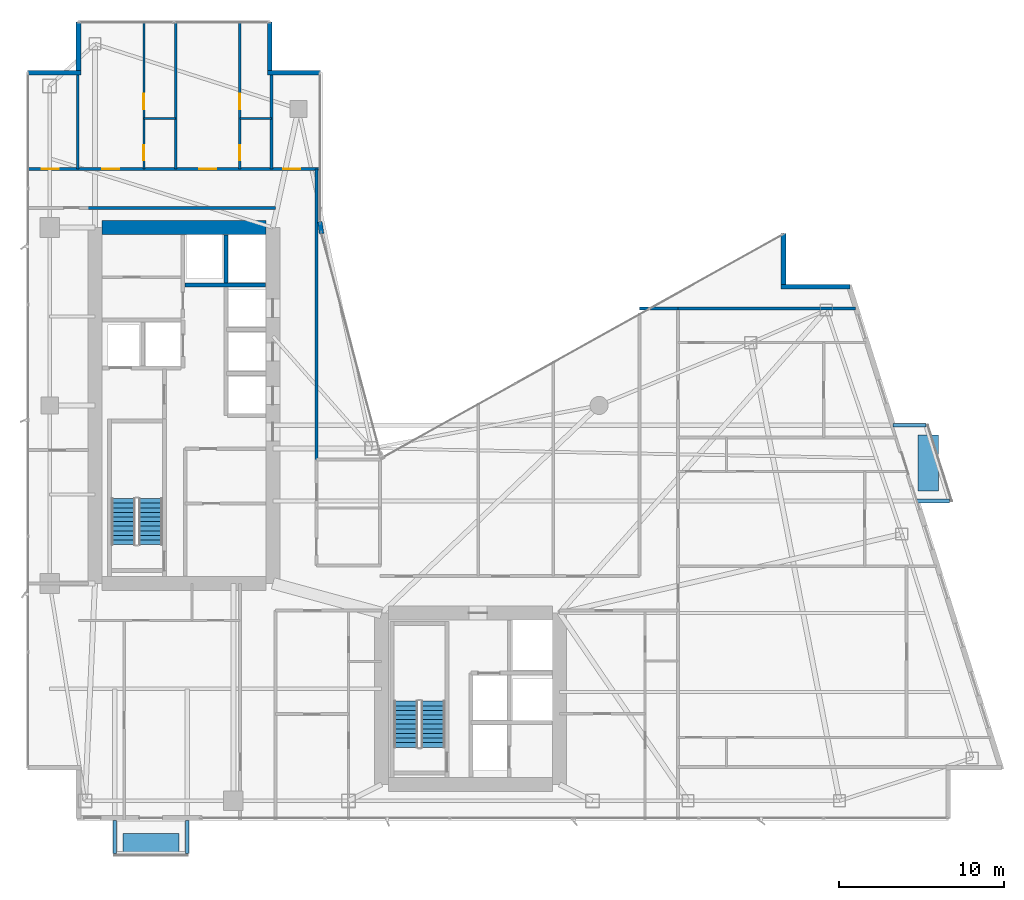
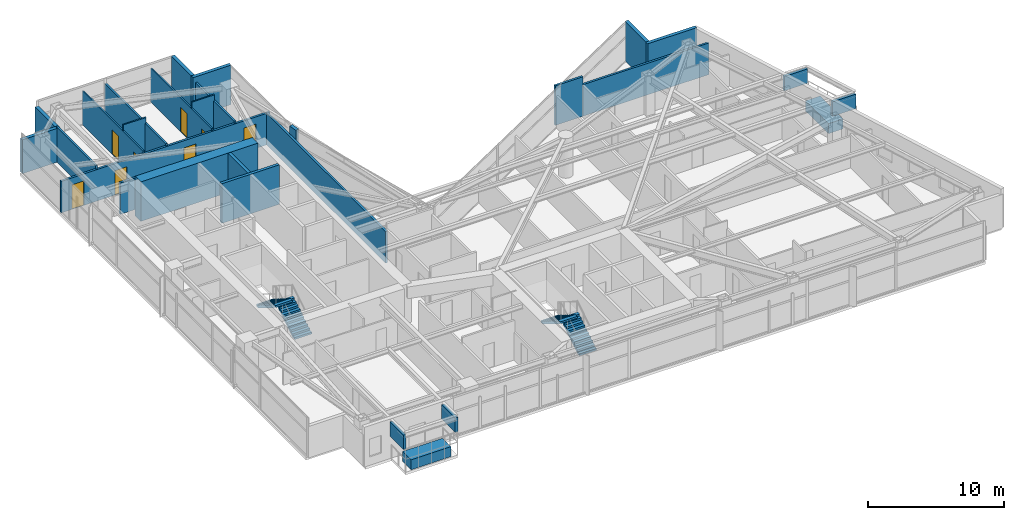
# One storey, part 25 of 28: 22 walls, 8 doors, 6 discrete accessories, 4 stair flights, 8 openings, 2 elements without a shape of their own.
"""IFC4 building model written with IfcOpenShell, lengths in metres."""

from ifc_helpers import new_model, si_unit, direction, frame, frame_2d, origin, origin_2d, place, context, subcontext, project, spatial, polyline, rectangle, outline, extrude, material, layer, layer_set, type_object, element, fill, aggregate, save


model = new_model("IFC4")

# Units and contexts
model_context = context("Model", 3, precision=1e-05, world=origin(), true_north=direction((0.0, 1.0)))
body_context = subcontext(model_context, "Body", "Model", "MODEL_VIEW")
ifc_project = project(units=[si_unit("LENGTHUNIT", "METRE"), si_unit("AREAUNIT", "SQUARE_METRE"), si_unit("VOLUMEUNIT", "CUBIC_METRE"), si_unit("PLANEANGLEUNIT", "RADIAN"), si_unit("MASSUNIT", "GRAM", prefix="KILO")], contexts=[model_context])

# Site, building, storey
site_placement = place(None, origin())
site = spatial("IfcSite", under=ifc_project, at=site_placement, CompositionType="ELEMENT")
building_placement = place(site_placement, origin())
building = spatial("IfcBuilding", under=site, at=building_placement, Name="Calvorn Quay Hotel", CompositionType="ELEMENT")
storey_placement = place(building_placement, frame((0.0, 0.0, 112.60009765625)))
storey = spatial("IfcBuildingStorey", under=building, at=storey_placement, Name="L27", CompositionType="ELEMENT", Elevation=112.60009765625)

# Wall
ifc_material_1 = material(Name="Concrete C50", Category="concrete")
ifc_layer_1 = layer(ifc_material_1, 0.85009765625)
ifc_layer_set_1 = layer_set([ifc_layer_1], Name="WL-CORE-850")
wall_type_1 = type_object("IfcWallType", Name="WL-CORE-850", PredefinedType="SHEAR", material=ifc_layer_set_1)
wall_1_placement = place(storey_placement, frame((4.625, 38.39990234375, 0.0), z_axis=(0.0, 0.0, 1.0), x_axis=(1.0, 0.0, 0.0)))
element("IfcWall", 1, at=wall_1_placement, inside=storey, type_object=wall_type_1, Name="West Core Shear Wall N (L27)", PredefinedType="SHEAR", context=body_context, shape_type="SweptSolid", body=[
    extrude(rectangle(XDim=9.949951171875, YDim=0.85009765625, at=frame_2d((4.97509765625, 0.0))), origin(), (0.0, 0.0, 1.0), 3.559814453125),
])

# Wall, openings, doors
ifc_material_2 = material(Name="Acoustic Fireboard Steel-Stud Partition", Category="steel")
ifc_layer_2 = layer(ifc_material_2, 0.179931640625)
ifc_layer_set_2 = layer_set([ifc_layer_2], Name="WL-CORR-FIRE-180")
wall_type_2 = type_object("IfcWallType", Name="WL-CORR-FIRE-180", PredefinedType="PARTITIONING", material=ifc_layer_set_2)
wall_2_placement = place(storey_placement, frame((0.080078125, 41.949951171875, 0.0), z_axis=(0.0, 0.0, 1.0), x_axis=(1.0, 0.0, 0.0)))
wall_2 = element("IfcWall", 2, at=wall_2_placement, inside=storey, type_object=wall_type_2, Name="Partition Wall L27-WL-CORR-NW-N", PredefinedType="PARTITIONING", context=body_context, shape_type="SweptSolid", body=[
    extrude(rectangle(XDim=17.77001953125, YDim=0.179931640625, at=frame_2d((8.885009765625, 0.0))), origin(), (0.0, 0.0, 1.0), 2.83984375),
])
opening_1_placement = place(wall_2_placement, frame((0.89990234375, 0.0, 0.0)))
opening_1 = element("IfcOpeningElement", 3, at=opening_1_placement, cuts=wall_2, Name="Opening D-L27-NWW", PredefinedType="OPENING", context=body_context, shape_type="SweptSolid", body=[
    extrude(rectangle(XDim=1.02001953125, YDim=2.199951171875, at=frame_2d((0.510009765625, 1.10009765625))), frame((0.0, 0.099853515625, 0.0), z_axis=(0.0, -1.0, 0.0), x_axis=(1.0, 0.0, 0.0)), (0.0, 0.0, 1.0), 0.199951171875),
])
opening_2_placement = place(wall_2_placement, frame((4.570068359375, 0.0, 0.0)))
opening_2 = element("IfcOpeningElement", 4, at=opening_2_placement, cuts=wall_2, Name="Opening D-L27-U03", PredefinedType="OPENING", context=body_context, shape_type="SweptSolid", body=[
    extrude(rectangle(XDim=1.02001953125, YDim=2.199951171875, at=frame_2d((0.510009765625, 1.10009765625))), frame((0.0, 0.099853515625, 0.0), z_axis=(0.0, -1.0, 0.0), x_axis=(1.0, 0.0, 0.0)), (0.0, 0.0, 1.0), 0.199951171875),
])
opening_3_placement = place(wall_2_placement, frame((10.4599609375, 0.0, 0.0)))
opening_3 = element("IfcOpeningElement", 5, at=opening_3_placement, cuts=wall_2, Name="Opening D-L27-U04", PredefinedType="OPENING", context=body_context, shape_type="SweptSolid", body=[
    extrude(rectangle(XDim=1.02001953125, YDim=2.199951171875, at=frame_2d((0.510009765625, 1.10009765625))), frame((0.0, 0.099853515625, 0.0), z_axis=(0.0, -1.0, 0.0), x_axis=(1.0, 0.0, 0.0)), (0.0, 0.0, 1.0), 0.199951171875),
])
opening_4_placement = place(wall_2_placement, frame((15.550048828125, 0.0, 0.0)))
opening_4 = element("IfcOpeningElement", 6, at=opening_4_placement, cuts=wall_2, Name="Opening D-L27-NWE", PredefinedType="OPENING", context=body_context, shape_type="SweptSolid", body=[
    extrude(rectangle(XDim=1.02001953125, YDim=2.199951171875, at=frame_2d((0.510009765625, 1.10009765625))), frame((0.0, 0.099853515625, 0.0), z_axis=(0.0, -1.0, 0.0), x_axis=(1.0, 0.0, 0.0)), (0.0, 0.0, 1.0), 0.199951171875),
])
ifc_material_3 = material(Name="Solid-Core Walnut Veneer Hotel Fire Door")
door_type_1 = type_object("IfcDoorType", Name="DR-GUEST-ENTRY-1020", OperationType="NOTDEFINED", PredefinedType="DOOR", material=ifc_material_3)
door_1_placement = place(opening_1_placement, origin())
door_1 = element("IfcDoor", 7, at=door_1_placement, inside=storey, type_object=door_type_1, Name="West Corner Study Door (L27)", OperationType="SINGLE_SWING_LEFT", OverallHeight=2.199951171875, OverallWidth=1.02001953125, PredefinedType="DOOR", context=body_context, shape_type="SweptSolid", body=[
    extrude(rectangle(XDim=1.02001953125, YDim=2.199951171875, at=frame_2d((0.510009765625, 1.10009765625))), frame((0.0, 0.02490234375, 0.0), z_axis=(0.0, -1.0, 0.0), x_axis=(1.0, 0.0, 0.0)), (0.0, 0.0, 1.0), 0.050048828125),
])
fill(opening_1, door_1)
door_2_placement = place(opening_2_placement, origin())
door_2 = element("IfcDoor", 8, at=door_2_placement, inside=storey, type_object=door_type_1, Name="North-West Unit Door U03 (L27)", OperationType="SINGLE_SWING_RIGHT", OverallHeight=2.199951171875, OverallWidth=1.02001953125, PredefinedType="DOOR", context=body_context, shape_type="SweptSolid", body=[
    extrude(rectangle(XDim=1.02001953125, YDim=2.199951171875, at=frame_2d((0.510009765625, 1.10009765625))), frame((0.0, 0.02490234375, 0.0), z_axis=(0.0, -1.0, 0.0), x_axis=(1.0, 0.0, 0.0)), (0.0, 0.0, 1.0), 0.050048828125),
])
fill(opening_2, door_2)
door_3_placement = place(opening_3_placement, origin())
door_3 = element("IfcDoor", 9, at=door_3_placement, inside=storey, type_object=door_type_1, Name="North-West Unit Door U04 (L27)", OperationType="SINGLE_SWING_LEFT", OverallHeight=2.199951171875, OverallWidth=1.02001953125, PredefinedType="DOOR", context=body_context, shape_type="SweptSolid", body=[
    extrude(rectangle(XDim=1.02001953125, YDim=2.199951171875, at=frame_2d((0.510009765625, 1.10009765625))), frame((0.0, 0.02490234375, 0.0), z_axis=(0.0, -1.0, 0.0), x_axis=(1.0, 0.0, 0.0)), (0.0, 0.0, 1.0), 0.050048828125),
])
fill(opening_3, door_3)
door_4_placement = place(opening_4_placement, origin())
door_4 = element("IfcDoor", 10, at=door_4_placement, inside=storey, type_object=door_type_1, Name="Inner Court Study Door (L27)", OperationType="SINGLE_SWING_RIGHT", OverallHeight=2.199951171875, OverallWidth=1.02001953125, PredefinedType="DOOR", context=body_context, shape_type="SweptSolid", body=[
    extrude(rectangle(XDim=1.02001953125, YDim=2.199951171875, at=frame_2d((0.510009765625, 1.10009765625))), frame((0.0, 0.02490234375, 0.0), z_axis=(0.0, -1.0, 0.0), x_axis=(1.0, 0.0, 0.0)), (0.0, 0.0, 1.0), 0.050048828125),
])
fill(opening_4, door_4)

# Walls
wall_3_placement = place(storey_placement, frame((17.64990234375, 24.300048828125, 0.0), z_axis=(0.0, 0.0, 1.0), x_axis=(0.0, 1.0, 0.0)))
element("IfcWall", 11, at=wall_3_placement, inside=storey, type_object=wall_type_2, Name="Partition Wall L27-WL-NW-CLOSURE-E", PredefinedType="PARTITIONING", context=body_context, shape_type="SweptSolid", body=[
    extrude(rectangle(XDim=17.64990234375, YDim=0.179931640625, at=frame_2d((8.824951171875, 0.0))), origin(), (0.0, 0.0, 1.0), 2.83984375),
])
wall_4_placement = place(storey_placement, frame((3.7548828125, 39.60009765625, 0.0), z_axis=(0.0, 0.0, 1.0), x_axis=(1.0, 0.0, 0.0)))
element("IfcWall", 12, at=wall_4_placement, inside=storey, type_object=wall_type_2, Name="Partition Wall L27-WL-W-SPUR-S", PredefinedType="PARTITIONING", context=body_context, shape_type="SweptSolid", body=[
    extrude(rectangle(XDim=11.39501953125, YDim=0.179931640625, at=frame_2d((5.697509765625, 0.0))), origin(), (0.0, 0.0, 1.0), 2.83984375),
])
wall_5_placement = place(storey_placement, frame((39.60009765625, 33.47998046875, 0.0), z_axis=(0.0, 0.0, 1.0), x_axis=(1.0, 0.0, 0.0)))
element("IfcWall", 13, at=wall_5_placement, inside=storey, type_object=wall_type_2, Name="Partition Wall L27-WL-TIP-N", PredefinedType="PARTITIONING", context=body_context, shape_type="SweptSolid", body=[
    extrude(rectangle(XDim=10.760009765625, YDim=0.179931640625, at=frame_2d((5.3798828125, 0.0))), origin(), (0.0, 0.0, 1.0), 2.83984375),
])
wall_6_placement = place(storey_placement, frame((37.25, 33.47998046875, 0.0), z_axis=(0.0, 0.0, 1.0), x_axis=(1.0, 0.0, 0.0)))
element("IfcWall", 14, at=wall_6_placement, inside=storey, type_object=wall_type_2, Name="Partition Wall L27-WL-CORR-TIP-NN", PredefinedType="PARTITIONING", context=body_context, shape_type="SweptSolid", body=[
    extrude(rectangle(XDim=2.35009765625, YDim=0.179931640625, at=frame_2d((1.175048828125, 0.0))), origin(), (0.0, 0.0, 1.0), 3.559814453125),
])
ifc_material_4 = material(Name="Moisture-Resistant Tile-Backed Partition")
ifc_layer_3 = layer(ifc_material_4, 0.125)
ifc_layer_set_3 = layer_set([ifc_layer_3], Name="WL-ENSUITE-125")
wall_type_3 = type_object("IfcWallType", Name="WL-ENSUITE-125", PredefinedType="PARTITIONING", material=ifc_layer_set_3)
wall_7_placement = place(storey_placement, frame((7.169921875, 45.02001953125, 0.0), z_axis=(0.0, 0.0, 1.0), x_axis=(1.0, 0.0, 0.0)))
element("IfcWall", 15, at=wall_7_placement, inside=storey, type_object=wall_type_3, Name="Partition Wall L27-WL-U03-BDV", PredefinedType="PARTITIONING", context=body_context, shape_type="SweptSolid", body=[
    extrude(rectangle(XDim=1.93017578125, YDim=0.125, at=frame_2d((0.965087890625, 0.0))), origin(), (0.0, 0.0, 1.0), 3.559814453125),
])

# Wall, openings, doors
wall_8_placement = place(storey_placement, frame((7.169921875, 41.949951171875, 0.0), z_axis=(0.0, 0.0, 1.0), x_axis=(0.0, 1.0, 0.0)))
wall_8 = element("IfcWall", 16, at=wall_8_placement, inside=storey, type_object=wall_type_3, Name="Partition Wall L27-WL-U03-BV", PredefinedType="PARTITIONING", context=body_context, shape_type="SweptSolid", body=[
    extrude(rectangle(XDim=8.989990234375, YDim=0.125, at=frame_2d((4.4951171875, 0.0))), origin(), (0.0, 0.0, 1.0), 3.039794921875),
])
opening_5_placement = place(wall_8_placement, frame((0.550048828125, 0.0, 0.0)))
opening_5 = element("IfcOpeningElement", 17, at=opening_5_placement, cuts=wall_8, Name="Opening D-L27-E03", PredefinedType="OPENING", context=body_context, shape_type="SweptSolid", body=[
    extrude(rectangle(XDim=0.89990234375, YDim=2.14990234375, at=frame_2d((0.449951171875, 1.074951171875))), frame((0.0, 0.072509765625, 0.0), z_axis=(0.0, -1.0, 0.0), x_axis=(1.0, 0.0, 0.0)), (0.0, 0.0, 1.0), 0.14501953125),
])
opening_6_placement = place(wall_8_placement, frame((3.6201171875, 0.0, 0.0)))
opening_6 = element("IfcOpeningElement", 18, at=opening_6_placement, cuts=wall_8, Name="Opening D-L27-S03", PredefinedType="OPENING", context=body_context, shape_type="SweptSolid", body=[
    extrude(rectangle(XDim=0.9599609375, YDim=2.199951171875, at=frame_2d((0.47998046875, 1.10009765625))), frame((0.0, 0.072509765625, 0.0), z_axis=(0.0, -1.0, 0.0), x_axis=(1.0, 0.0, 0.0)), (0.0, 0.0, 1.0), 0.14501953125),
])
ifc_material_5 = material(Name="Moisture-Sealed Timber En-Suite Door", Category="wood")
door_type_2 = type_object("IfcDoorType", Name="DR-ENSUITE-900", OperationType="NOTDEFINED", PredefinedType="DOOR", material=ifc_material_5)
door_5_placement = place(opening_5_placement, origin())
door_5 = element("IfcDoor", 19, at=door_5_placement, inside=storey, type_object=door_type_2, Name="En-Suite Door 03", OperationType="SINGLE_SWING_LEFT", OverallHeight=2.14990234375, OverallWidth=0.89990234375, PredefinedType="DOOR", context=body_context, shape_type="SweptSolid", body=[
    extrude(rectangle(XDim=0.89990234375, YDim=2.14990234375, at=frame_2d((0.449951171875, 1.074951171875))), frame((0.0, 0.02490234375, 0.0), z_axis=(0.0, -1.0, 0.0), x_axis=(1.0, 0.0, 0.0)), (0.0, 0.0, 1.0), 0.050048828125),
])
fill(opening_5, door_5)
ifc_material_6 = material(Name="Solid Timber Internal Suite Door", Category="wood")
door_type_3 = type_object("IfcDoorType", Name="DR-SUITE-INT-960", OperationType="NOTDEFINED", PredefinedType="DOOR", material=ifc_material_6)
door_6_placement = place(opening_6_placement, origin())
door_6 = element("IfcDoor", 20, at=door_6_placement, inside=storey, type_object=door_type_3, Name="Executive Study Door 03", OperationType="SINGLE_SWING_RIGHT", OverallHeight=2.199951171875, OverallWidth=0.9599609375, PredefinedType="DOOR", context=body_context, shape_type="SweptSolid", body=[
    extrude(rectangle(XDim=0.9599609375, YDim=2.199951171875, at=frame_2d((0.47998046875, 1.10009765625))), frame((0.0, 0.02490234375, 0.0), z_axis=(0.0, -1.0, 0.0), x_axis=(1.0, 0.0, 0.0)), (0.0, 0.0, 1.0), 0.050048828125),
])
fill(opening_6, door_6)

# Wall
wall_9_placement = place(storey_placement, frame((12.989990234375, 45.02001953125, 0.0), z_axis=(0.0, 0.0, 1.0), x_axis=(1.0, 0.0, 0.0)))
element("IfcWall", 21, at=wall_9_placement, inside=storey, type_object=wall_type_3, Name="Partition Wall L27-WL-U04-BDV", PredefinedType="PARTITIONING", context=body_context, shape_type="SweptSolid", body=[
    extrude(rectangle(XDim=1.929931640625, YDim=0.125, at=frame_2d((0.96484375, 0.0))), origin(), (0.0, 0.0, 1.0), 3.559814453125),
])

# Wall, openings, doors
wall_10_placement = place(storey_placement, frame((12.989990234375, 41.949951171875, 0.0), z_axis=(0.0, 0.0, 1.0), x_axis=(0.0, 1.0, 0.0)))
wall_10 = element("IfcWall", 22, at=wall_10_placement, inside=storey, type_object=wall_type_3, Name="Partition Wall L27-WL-U04-BV", PredefinedType="PARTITIONING", context=body_context, shape_type="SweptSolid", body=[
    extrude(rectangle(XDim=8.989990234375, YDim=0.125, at=frame_2d((4.4951171875, 0.0))), origin(), (0.0, 0.0, 1.0), 3.039794921875),
])
opening_7_placement = place(wall_10_placement, frame((0.550048828125, 0.0, 0.0)))
opening_7 = element("IfcOpeningElement", 23, at=opening_7_placement, cuts=wall_10, Name="Opening D-L27-E04", PredefinedType="OPENING", context=body_context, shape_type="SweptSolid", body=[
    extrude(rectangle(XDim=0.89990234375, YDim=2.14990234375, at=frame_2d((0.449951171875, 1.074951171875))), frame((0.0, 0.072509765625, 0.0), z_axis=(0.0, -1.0, 0.0), x_axis=(1.0, 0.0, 0.0)), (0.0, 0.0, 1.0), 0.14501953125),
])
opening_8_placement = place(wall_10_placement, frame((3.6201171875, 0.0, 0.0)))
opening_8 = element("IfcOpeningElement", 24, at=opening_8_placement, cuts=wall_10, Name="Opening D-L27-S04", PredefinedType="OPENING", context=body_context, shape_type="SweptSolid", body=[
    extrude(rectangle(XDim=0.9599609375, YDim=2.199951171875, at=frame_2d((0.47998046875, 1.10009765625))), frame((0.0, 0.072509765625, 0.0), z_axis=(0.0, -1.0, 0.0), x_axis=(1.0, 0.0, 0.0)), (0.0, 0.0, 1.0), 0.14501953125),
])
door_7_placement = place(opening_7_placement, origin())
door_7 = element("IfcDoor", 25, at=door_7_placement, inside=storey, type_object=door_type_2, Name="En-Suite Door 04", OperationType="SINGLE_SWING_LEFT", OverallHeight=2.14990234375, OverallWidth=0.89990234375, PredefinedType="DOOR", context=body_context, shape_type="SweptSolid", body=[
    extrude(rectangle(XDim=0.89990234375, YDim=2.14990234375, at=frame_2d((0.449951171875, 1.074951171875))), frame((0.0, 0.02490234375, 0.0), z_axis=(0.0, -1.0, 0.0), x_axis=(1.0, 0.0, 0.0)), (0.0, 0.0, 1.0), 0.050048828125),
])
fill(opening_7, door_7)
door_8_placement = place(opening_8_placement, origin())
door_8 = element("IfcDoor", 26, at=door_8_placement, inside=storey, type_object=door_type_3, Name="Executive Study Door 04", OperationType="SINGLE_SWING_RIGHT", OverallHeight=2.199951171875, OverallWidth=0.9599609375, PredefinedType="DOOR", context=body_context, shape_type="SweptSolid", body=[
    extrude(rectangle(XDim=0.9599609375, YDim=2.199951171875, at=frame_2d((0.47998046875, 1.10009765625))), frame((0.0, 0.02490234375, 0.0), z_axis=(0.0, -1.0, 0.0), x_axis=(1.0, 0.0, 0.0)), (0.0, 0.0, 1.0), 0.050048828125),
])
fill(opening_8, door_8)

# Walls
ifc_material_7 = material(Name="Concrete C40", Category="concrete")
ifc_layer_4 = layer(ifc_material_7, 0.320068359375)
ifc_layer_set_4 = layer_set([ifc_layer_4], Name="WL-EXT-SPANDREL-320")
wall_type_4 = type_object("IfcWallType", Name="WL-EXT-SPANDREL-320", PredefinedType="SOLIDWALL", material=ifc_layer_set_4)
wall_11_placement = place(storey_placement, frame((17.9619140625, 38.030029296875, 0.0), z_axis=(0.0, 0.0, 1.0), x_axis=(-0.15141125477, 0.988470855377, 0.0)))
element("IfcWall", 27, at=wall_11_placement, inside=storey, type_object=wall_type_4, Name="Inner Court Corner Pier L27-ICJ2", PredefinedType="SOLIDWALL", context=body_context, shape_type="SweptSolid", body=[
    extrude(rectangle(XDim=0.738525390625, YDim=0.280029296875, at=frame_2d((0.369140625, 0.0))), origin(), (0.0, 0.0, 1.0), 3.559814453125),
])
wall_12_placement = place(storey_placement, frame((50.0400390625, 34.800048828125, 0.0), z_axis=(0.0, 0.0, 1.0), x_axis=(-1.0, 0.0, 0.0)))
element("IfcWall", 28, at=wall_12_placement, inside=storey, type_object=wall_type_4, Name="Notched Corner Spandrel L27-NE1", PredefinedType="SOLIDWALL", context=body_context, shape_type="SweptSolid", body=[
    extrude(rectangle(XDim=4.179931640625, YDim=0.280029296875, at=frame_2d((2.08984375, 0.0))), origin(), (0.0, 0.0, 1.0), 3.559814453125),
])
wall_13_placement = place(storey_placement, frame((46.0, 34.93994140625, 0.0), z_axis=(0.0, 0.0, 1.0), x_axis=(0.0, 1.0, 0.0)))
element("IfcWall", 29, at=wall_13_placement, inside=storey, type_object=wall_type_4, Name="Notched Corner Spandrel L27-NE2", PredefinedType="SOLIDWALL", context=body_context, shape_type="SweptSolid", body=[
    extrude(rectangle(XDim=3.10009765625, YDim=0.280029296875, at=frame_2d((1.550048828125, 0.0))), origin(), (0.0, 0.0, 1.0), 3.559814453125),
])
wall_14_placement = place(storey_placement, frame((17.89990234375, 47.800048828125, 0.0), z_axis=(0.0, 0.0, 1.0), x_axis=(-1.0, 0.0, 0.0)))
element("IfcWall", 30, at=wall_14_placement, inside=storey, type_object=wall_type_4, Name="Notched Corner Spandrel L27-NWE1", PredefinedType="SOLIDWALL", context=body_context, shape_type="SweptSolid", body=[
    extrude(rectangle(XDim=3.239990234375, YDim=0.280029296875, at=frame_2d((1.6201171875, 0.0))), origin(), (0.0, 0.0, 1.0), 3.559814453125),
])
wall_15_placement = place(storey_placement, frame((14.800048828125, 47.93994140625, 0.0), z_axis=(0.0, 0.0, 1.0), x_axis=(0.0, 1.0, 0.0)))
element("IfcWall", 31, at=wall_15_placement, inside=storey, type_object=wall_type_4, Name="Notched Corner Spandrel L27-NWE2", PredefinedType="SOLIDWALL", context=body_context, shape_type="SweptSolid", body=[
    extrude(rectangle(XDim=2.93994140625, YDim=0.280029296875, at=frame_2d((1.469970703125, 0.0))), origin(), (0.0, 0.0, 1.0), 3.559814453125),
])
wall_16_placement = place(storey_placement, frame((3.199951171875, 50.8798828125, 0.0), z_axis=(0.0, 0.0, 1.0), x_axis=(0.0, -1.0, 0.0)))
element("IfcWall", 32, at=wall_16_placement, inside=storey, type_object=wall_type_4, Name="Notched Corner Spandrel L27-NW1", PredefinedType="SOLIDWALL", context=body_context, shape_type="SweptSolid", body=[
    extrude(rectangle(XDim=2.93994140625, YDim=0.280029296875, at=frame_2d((1.469970703125, 0.0))), origin(), (0.0, 0.0, 1.0), 3.039794921875),
])
wall_17_placement = place(storey_placement, frame((3.340087890625, 47.800048828125, 0.0), z_axis=(0.0, 0.0, 1.0), x_axis=(-1.0, 0.0, 0.0)))
element("IfcWall", 33, at=wall_17_placement, inside=storey, type_object=wall_type_4, Name="Notched Corner Spandrel L27-NW2", PredefinedType="SOLIDWALL", context=body_context, shape_type="SweptSolid", body=[
    extrude(rectangle(XDim=3.219970703125, YDim=0.280029296875, at=frame_2d((1.60986328125, 0.0))), origin(), (0.0, 0.0, 1.0), 3.039794921875),
])
ifc_material_8 = material(Name="Double-Stud Acoustic Gypsum Partition")
ifc_layer_5 = layer(ifc_material_8, 0.159912109375)
ifc_layer_set_5 = layer_set([ifc_layer_5], Name="WL-INTERSUITE-160")
wall_type_5 = type_object("IfcWallType", Name="WL-INTERSUITE-160", PredefinedType="PARTITIONING", material=ifc_layer_set_5)
wall_18_placement = place(storey_placement, frame((3.14990234375, 41.949951171875, 0.0), z_axis=(0.0, 0.0, 1.0), x_axis=(0.0, 1.0, 0.0)))
element("IfcWall", 34, at=wall_18_placement, inside=storey, type_object=wall_type_5, Name="Partition Wall L27-WL-NW-DIV-W0", PredefinedType="PARTITIONING", context=body_context, shape_type="SweptSolid", body=[
    extrude(rectangle(XDim=5.85009765625, YDim=0.159912109375, at=frame_2d((2.925048828125, 0.0))), origin(), (0.0, 0.0, 1.0), 3.139892578125),
])
wall_19_placement = place(storey_placement, frame((14.919921875, 41.949951171875, 0.0), z_axis=(0.0, 0.0, 1.0), x_axis=(0.0, 1.0, 0.0)))
element("IfcWall", 35, at=wall_19_placement, inside=storey, type_object=wall_type_5, Name="Partition Wall L27-WL-NW-DIV-E0", PredefinedType="PARTITIONING", context=body_context, shape_type="SweptSolid", body=[
    extrude(rectangle(XDim=5.85009765625, YDim=0.159912109375, at=frame_2d((2.925048828125, 0.0))), origin(), (0.0, 0.0, 1.0), 3.039794921875),
])
wall_20_placement = place(storey_placement, frame((9.10009765625, 41.949951171875, 0.0), z_axis=(0.0, 0.0, 1.0), x_axis=(0.0, 1.0, 0.0)))
element("IfcWall", 36, at=wall_20_placement, inside=storey, type_object=wall_type_5, Name="Partition Wall L27-WL-NW-DIV-1", PredefinedType="PARTITIONING", context=body_context, shape_type="SweptSolid", body=[
    extrude(rectangle(XDim=8.989990234375, YDim=0.159912109375, at=frame_2d((4.4951171875, 0.0))), origin(), (0.0, 0.0, 1.0), 3.039794921875),
])
ifc_material_9 = material(Name="Concrete C40", Category="concrete")
ifc_layer_6 = layer(ifc_material_9, 0.239990234375)
ifc_layer_set_6 = layer_set([ifc_layer_6], Name="WL-SHAFT-240")
wall_type_6 = type_object("IfcWallType", Name="WL-SHAFT-240", PredefinedType="SOLIDWALL", material=ifc_layer_set_6)
wall_21_placement = place(storey_placement, frame((9.659912109375, 34.89990234375, 0.0), z_axis=(0.0, 0.0, 1.0), x_axis=(1.0, 0.0, 0.0)))
element("IfcWall", 37, at=wall_21_placement, inside=storey, type_object=wall_type_6, Name="Partition Wall L27-WL-CWW-PLH-S", PredefinedType="SOLIDWALL", context=body_context, shape_type="SweptSolid", body=[
    extrude(rectangle(XDim=4.89501953125, YDim=0.239990234375, at=frame_2d((2.447509765625, 0.0))), origin(), (0.0, 0.0, 1.0), 3.559814453125),
])
wall_22_placement = place(storey_placement, frame((12.14990234375, 35.02001953125, 0.0), z_axis=(0.0, 0.0, 1.0), x_axis=(0.0, 1.0, 0.0)))
element("IfcWall", 38, at=wall_22_placement, inside=storey, type_object=wall_type_6, Name="Partition Wall L27-WL-CWW-PLH-DIV", PredefinedType="SOLIDWALL", context=body_context, shape_type="SweptSolid", body=[
    extrude(rectangle(XDim=2.93505859375, YDim=0.239990234375, at=frame_2d((1.467529296875, 0.0))), origin(), (0.0, 0.0, 1.0), 3.559814453125),
])

# Stair, stair flights
ifc_material_10 = material(Name="Concrete C40", Category="concrete")
stair_type = type_object("IfcStairType", Name="STR-CORE-DOGLEG", PredefinedType="HALF_TURN_STAIR", material=ifc_material_10)
stair_1_placement = place(storey_placement, origin())
stair_1 = element("IfcStair", 39, at=stair_1_placement, inside=storey, type_object=stair_type, Name="L27 ST-W", PredefinedType="HALF_TURN_STAIR")
ifc_material_11 = material(Name="Concrete C40", Category="concrete")
stair_flight_type = type_object("IfcStairFlightType", Name="FLT-CORE-1550", PredefinedType="STRAIGHT", material=ifc_material_11)
stair_flight_1_placement = place(storey_placement, frame((7.574951171875, 19.14990234375, 0.0), z_axis=(0.0, 0.0, 1.0), x_axis=(0.0, 1.0, 0.0)))
stair_flight_1 = element("IfcStairFlight", 40, at=stair_flight_1_placement, type_object=stair_flight_type, Name="ST-W flight 1", NumberOfRisers=11, NumberOfTreads=10, PredefinedType="STRAIGHT", RiserHeight=0.172727273, TreadLength=0.28, context=body_context, shape_type="SweptSolid", body=[
    extrude(outline(polyline([(0.0, 0.0), (0.0, 0.172607421875), (0.280029296875, 0.172607421875), (0.280029296875, 0.345458984375), (0.56005859375, 0.345458984375), (0.56005859375, 0.51806640625), (0.840087890625, 0.51806640625), (0.840087890625, 0.69091796875), (1.1201171875, 0.69091796875), (1.1201171875, 0.863525390625), (1.39990234375, 0.863525390625), (1.39990234375, 1.036376953125), (1.679931640625, 1.036376953125), (1.679931640625, 1.208984375), (1.9599609375, 1.208984375), (1.9599609375, 1.3818359375), (2.239990234375, 1.3818359375), (2.239990234375, 1.554443359375), (2.52001953125, 1.554443359375), (2.52001953125, 1.727294921875), (2.800048828125, 1.727294921875), (2.800048828125, 1.89990234375), (2.800048828125, 1.551025390625), (0.285400390625, 0.0), (0.0, 0.0)])), frame((0.0, 0.72509765625, 0.0), z_axis=(0.0, -1.0, 0.0), x_axis=(1.0, 0.0, 0.0)), (0.0, 0.0, 1.0), 1.449951171875),
])
stair_flight_2_placement = place(storey_placement, frame((5.925048828125, 21.949951171875, 1.89990234375), z_axis=(0.0, 0.0, 1.0), x_axis=(0.0, -1.0, 0.0)))
stair_flight_2 = element("IfcStairFlight", 41, at=stair_flight_2_placement, type_object=stair_flight_type, Name="ST-W flight 2", NumberOfRisers=11, NumberOfTreads=10, PredefinedType="STRAIGHT", RiserHeight=0.172727273, TreadLength=0.28, context=body_context, shape_type="SweptSolid", body=[
    extrude(outline(polyline([(0.0, 0.0), (0.0, 0.172607421875), (0.280029296875, 0.172607421875), (0.280029296875, 0.345458984375), (0.56005859375, 0.345458984375), (0.56005859375, 0.51806640625), (0.840087890625, 0.51806640625), (0.840087890625, 0.69091796875), (1.1201171875, 0.69091796875), (1.1201171875, 0.863525390625), (1.39990234375, 0.863525390625), (1.39990234375, 1.036376953125), (1.679931640625, 1.036376953125), (1.679931640625, 1.208984375), (1.9599609375, 1.208984375), (1.9599609375, 1.3818359375), (2.239990234375, 1.3818359375), (2.239990234375, 1.554443359375), (2.52001953125, 1.554443359375), (2.52001953125, 1.727294921875), (2.800048828125, 1.727294921875), (2.800048828125, 1.89990234375), (2.800048828125, 1.551025390625), (0.285400390625, 0.0), (0.0, 0.0)])), frame((0.0, 0.72509765625, 0.0), z_axis=(0.0, -1.0, 0.0), x_axis=(1.0, 0.0, 0.0)), (0.0, 0.0, 1.0), 1.449951171875),
])
aggregate(stair_1, [stair_flight_1, stair_flight_2])

stair_2_placement = place(storey_placement, origin())
stair_2 = element("IfcStair", 42, at=stair_2_placement, inside=storey, type_object=stair_type, Name="L27 ST-E", PredefinedType="HALF_TURN_STAIR")
stair_flight_3_placement = place(storey_placement, frame((24.72509765625, 6.85009765625, 0.0), z_axis=(0.0, 0.0, 1.0), x_axis=(0.0, 1.0, 0.0)))
stair_flight_3 = element("IfcStairFlight", 43, at=stair_flight_3_placement, type_object=stair_flight_type, Name="ST-E flight 1", NumberOfRisers=11, NumberOfTreads=10, PredefinedType="STRAIGHT", RiserHeight=0.172727273, TreadLength=0.28, context=body_context, shape_type="SweptSolid", body=[
    extrude(outline(polyline([(0.0, 0.0), (0.0, 0.172607421875), (0.280029296875, 0.172607421875), (0.280029296875, 0.345458984375), (0.56005859375, 0.345458984375), (0.56005859375, 0.51806640625), (0.840087890625, 0.51806640625), (0.840087890625, 0.69091796875), (1.1201171875, 0.69091796875), (1.1201171875, 0.863525390625), (1.39990234375, 0.863525390625), (1.39990234375, 1.036376953125), (1.679931640625, 1.036376953125), (1.679931640625, 1.208984375), (1.9599609375, 1.208984375), (1.9599609375, 1.3818359375), (2.239990234375, 1.3818359375), (2.239990234375, 1.554443359375), (2.52001953125, 1.554443359375), (2.52001953125, 1.727294921875), (2.800048828125, 1.727294921875), (2.800048828125, 1.89990234375), (2.800048828125, 1.551025390625), (0.285400390625, 0.0), (0.0, 0.0)])), frame((0.0, 0.72509765625, 0.0), z_axis=(0.0, -1.0, 0.0), x_axis=(1.0, 0.0, 0.0)), (0.0, 0.0, 1.0), 1.449951171875),
])
stair_flight_4_placement = place(storey_placement, frame((23.074951171875, 9.64990234375, 1.89990234375), z_axis=(0.0, 0.0, 1.0), x_axis=(0.0, -1.0, 0.0)))
stair_flight_4 = element("IfcStairFlight", 44, at=stair_flight_4_placement, type_object=stair_flight_type, Name="ST-E flight 2", NumberOfRisers=11, NumberOfTreads=10, PredefinedType="STRAIGHT", RiserHeight=0.172727273, TreadLength=0.28, context=body_context, shape_type="SweptSolid", body=[
    extrude(outline(polyline([(0.0, 0.0), (0.0, 0.172607421875), (0.280029296875, 0.172607421875), (0.280029296875, 0.345458984375), (0.56005859375, 0.345458984375), (0.56005859375, 0.51806640625), (0.840087890625, 0.51806640625), (0.840087890625, 0.69091796875), (1.1201171875, 0.69091796875), (1.1201171875, 0.863525390625), (1.39990234375, 0.863525390625), (1.39990234375, 1.036376953125), (1.679931640625, 1.036376953125), (1.679931640625, 1.208984375), (1.9599609375, 1.208984375), (1.9599609375, 1.3818359375), (2.239990234375, 1.3818359375), (2.239990234375, 1.554443359375), (2.52001953125, 1.554443359375), (2.52001953125, 1.727294921875), (2.800048828125, 1.727294921875), (2.800048828125, 1.89990234375), (2.800048828125, 1.551025390625), (0.285400390625, 0.0), (0.0, 0.0)])), frame((0.0, 0.72509765625, 0.0), z_axis=(0.0, -1.0, 0.0), x_axis=(1.0, 0.0, 0.0)), (0.0, 0.0, 1.0), 1.449951171875),
])
aggregate(stair_2, [stair_flight_3, stair_flight_4])

# Discrete accessories
ifc_material_12 = material(Name="Steel Q355B", Category="steel")
discrete_accessory_type_1 = type_object("IfcDiscreteAccessoryType", Name="ACC-BALC-STRUT", PredefinedType="BRACKET", material=ifc_material_12)
for number, where, z_axis, x_axis, name in (
    (45, (55.091064453125, 21.800048828125, 2.0146484375), (0.0, 0.0, 1.0), (1.0, 0.0, 0.0), "Exterior Balcony Steel Bracket L28-BALC-E-A"),
    (46, (53.64208984375, 26.39990234375, 2.0146484375), (0.0, 0.0, 1.0), (1.0, 0.0, 0.0), "Exterior Balcony Steel Bracket L28-BALC-E-B"),
):
    element("IfcDiscreteAccessory", number, at=place(storey_placement, frame(where, z_axis=z_axis, x_axis=x_axis)), inside=storey, type_object=discrete_accessory_type_1, Name=name, PredefinedType="BRACKET", context=body_context, shape_type="SweptSolid", body=[
        extrude(rectangle(XDim=1.989990234375, YDim=0.219970703125, at=origin_2d()), origin(), (0.0, 0.0, 1.0), 1.300048828125),
    ])
for number, where, z_axis, x_axis, name in (
    (47, (5.39990234375, 1.405029296875, 2.0146484375), (0.0, 0.0, 1.0), (1.0, 0.0, 0.0), "Exterior Balcony Steel Bracket L28-BALC-S-A"),
    (48, (9.800048828125, 1.405029296875, 2.0146484375), (0.0, 0.0, 1.0), (1.0, 0.0, 0.0), "Exterior Balcony Steel Bracket L28-BALC-S-B"),
):
    element("IfcDiscreteAccessory", number, at=place(storey_placement, frame(where, z_axis=z_axis, x_axis=x_axis)), inside=storey, type_object=discrete_accessory_type_1, Name=name, PredefinedType="BRACKET", context=body_context, shape_type="SweptSolid", body=[
        extrude(rectangle(XDim=0.219970703125, YDim=1.989990234375, at=origin_2d()), origin(), (0.0, 0.0, 1.0), 1.300048828125),
    ])
ifc_material_13 = material(Name="Precast concrete C40", Category="concrete")
discrete_accessory_type_2 = type_object("IfcDiscreteAccessoryType", Name="ACC-TREE-PLANTER", PredefinedType="USERDEFINED", material=ifc_material_13)
discrete_accessory_1_placement = place(storey_placement, frame((54.781982421875, 24.10009765625, 0.0), z_axis=(0.0, 0.0, 1.0), x_axis=(1.0, 0.0, 0.0)))
element("IfcDiscreteAccessory", 49, at=discrete_accessory_1_placement, inside=storey, type_object=discrete_accessory_type_2, Name="Subtropical Tree Structural Planter L27-BALC-E", ObjectType="PLANTER", PredefinedType="USERDEFINED", context=body_context, shape_type="SweptSolid", body=[
    extrude(rectangle(XDim=1.25, YDim=3.39990234375, at=origin_2d()), origin(), (0.0, 0.0, 1.0), 0.89990234375),
])
discrete_accessory_2_placement = place(storey_placement, frame((7.60009765625, 0.989990234375, 0.0), z_axis=(0.0, 0.0, 1.0), x_axis=(1.0, 0.0, 0.0)))
element("IfcDiscreteAccessory", 50, at=discrete_accessory_2_placement, inside=storey, type_object=discrete_accessory_type_2, Name="Subtropical Tree Structural Planter L27-BALC-S", ObjectType="PLANTER", PredefinedType="USERDEFINED", context=body_context, shape_type="SweptSolid", body=[
    extrude(rectangle(XDim=3.39990234375, YDim=1.25, at=origin_2d()), origin(), (0.0, 0.0, 1.0), 0.89990234375),
])

save(model, "model.ifc")
